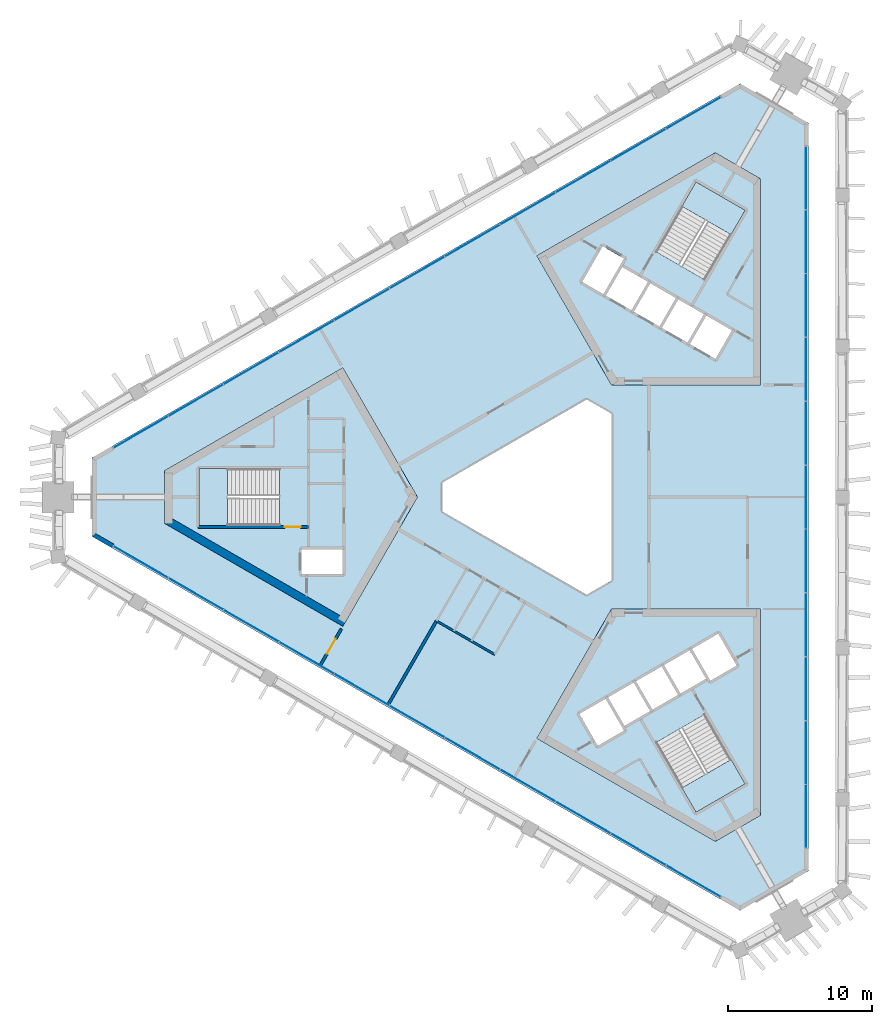
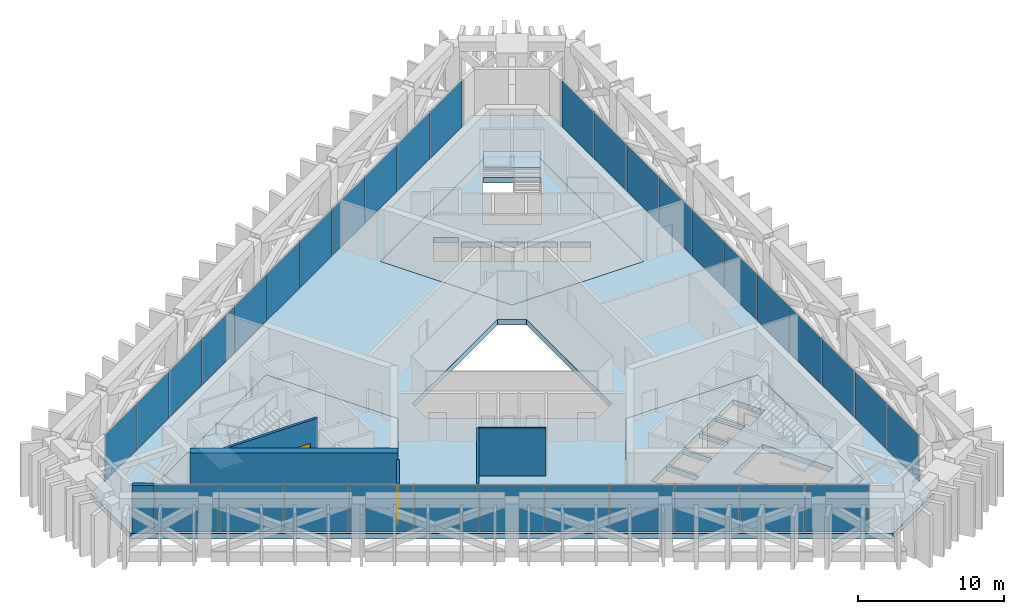
# One storey, part 9 of 15: 33 plates, 7 slabs, 6 walls, 2 doors, 2 openings, 6 elements without a shape of their own.
"""IFC4 building model written with IfcOpenShell, lengths in metres."""

import ifcopenshell
import ifcopenshell.guid

model = None  # the IFC model being written
_history = None  # IfcOwnerHistory: only IFC2X3 demands one
_inside = {}  # id of a spatial element -> (the spatial element, [elements in it])
_under = {}  # id of a project, library or spatial element -> (it, [spatial elements below it])
_declared = {}  # id of a project -> (the project, [libraries it declares])
_typed = {}  # id of a type object -> (the type object, [elements of that type])
_made_of = {}  # id of a material, layer set ... -> (it, [elements and type objects made of it])


def new_model(schema):
    """Start an empty IFC model of exactly this schema.

    Asked for "IFC4X3", IfcOpenShell would pick the latest addendum, in which some entities
    have other attributes; the version numbers below select the first issue.
    IFC2X3 requires an IfcOwnerHistory on every rooted entity: one is made here for all.
    """
    global model, _history
    if schema == "IFC4X3":
        model = ifcopenshell.file(schema_version=(4, 3, 0, 0))
    else:
        model = ifcopenshell.file(schema=schema)
    _inside.clear()
    _under.clear()
    _declared.clear()
    _typed.clear()
    _made_of.clear()
    _history = None
    if model.schema == "IFC2X3":
        org = make("IfcOrganization", Name="unknown")
        user = make(
            "IfcPersonAndOrganization",
            ThePerson=make("IfcPerson", FamilyName="unknown"),
            TheOrganization=org,
        )
        app = make(
            "IfcApplication",
            ApplicationDeveloper=org,
            Version="unknown",
            ApplicationFullName="unknown",
            ApplicationIdentifier="unknown",
        )
        _history = make(
            "IfcOwnerHistory",
            OwningUser=user,
            OwningApplication=app,
            ChangeAction="ADDED",
            CreationDate=0,
        )
    return model


def make(cls, **values):
    """One entity of the class cls with the attributes given. An attribute that is None is left unset."""
    return model.create_entity(
        cls, **{name: value for name, value in values.items() if value is not None}
    )


def rooted(cls, **values):
    """An entity with a GlobalId (a new one), such as an element, a storey or a relation."""
    return make(cls, GlobalId=ifcopenshell.guid.new(), OwnerHistory=_history, **values)


def si_unit(unit_type, name, prefix=None):
    """IfcSIUnit, for example si_unit("LENGTHUNIT", "METRE", prefix="MILLI")."""
    return make("IfcSIUnit", UnitType=unit_type, Prefix=prefix, Name=name)


def assignment(units):
    """IfcUnitAssignment: the units of a project."""
    return None if units is None else make("IfcUnitAssignment", Units=units)


def point(xyz):
    """IfcCartesianPoint."""
    return None if xyz is None else make("IfcCartesianPoint", Coordinates=xyz)


def direction(xyz):
    """IfcDirection."""
    return None if xyz is None else make("IfcDirection", DirectionRatios=xyz)


def frame(location, z_axis=None, x_axis=None):
    """IfcAxis2Placement3D, a coordinate frame: its origin and axes. An axis left out is left unset."""
    return make(
        "IfcAxis2Placement3D",
        Location=point(location),
        Axis=direction(z_axis),
        RefDirection=direction(x_axis),
    )


def frame_2d(location, x_axis=None):
    """IfcAxis2Placement2D, a coordinate frame in the plane: its origin and x axis."""
    return make(
        "IfcAxis2Placement2D", Location=point(location), RefDirection=direction(x_axis)
    )


def origin():
    """The frame at (0, 0, 0) with its axes left unset."""
    return frame((0.0, 0.0, 0.0))


def origin_2d():
    """The frame at (0, 0) in the plane with its x axis left unset."""
    return frame_2d((0.0, 0.0))


def place(relative_to, where):
    """IfcLocalPlacement: puts the frame where relative to a parent placement (None: the world)."""
    return make(
        "IfcLocalPlacement", PlacementRelTo=relative_to, RelativePlacement=where
    )


def context(
    kind, dimensions, precision=None, world=None, true_north=None, identifier=None
):
    """IfcGeometricRepresentationContext, for example the 3D "Model" context."""
    return make(
        "IfcGeometricRepresentationContext",
        ContextIdentifier=identifier,
        ContextType=kind,
        CoordinateSpaceDimension=dimensions,
        Precision=precision,
        WorldCoordinateSystem=world,
        TrueNorth=true_north,
    )


def subcontext(parent, identifier, kind, view, scale=None):
    """IfcGeometricRepresentationSubContext, for example "Body" below "Model"."""
    return make(
        "IfcGeometricRepresentationSubContext",
        ContextIdentifier=identifier,
        ContextType=kind,
        ParentContext=parent,
        TargetScale=scale,
        TargetView=view,
    )


def project(units=None, contexts=None):
    """IfcProject with its units and contexts."""
    return rooted(
        "IfcProject",
        Name="project",
        RepresentationContexts=contexts,
        UnitsInContext=assignment(units),
    )


def spatial(cls, under=None, at=None, **own):
    """A site, building, storey or space (cls), placed at a placement, below another one or the project."""
    s = rooted(cls, ObjectPlacement=at, **own)
    if under is not None:
        _under.setdefault(under.id(), (under, []))[1].append(s)
    return s


def polyline(points):
    """IfcPolyline through the points."""
    return make("IfcPolyline", Points=[point(p) for p in points])


def profile(cls, at=None, kind="AREA", **sizes):
    """A parametric profile (cls). Its sizes go by their IFC names, for example OverallWidth=200.0."""
    return make(cls, ProfileType=kind, Position=at, **sizes)


def rectangle(**sizes):
    """IfcRectangleProfileDef."""
    return profile("IfcRectangleProfileDef", **sizes)


def outline(outer, holes=None, kind="AREA"):
    """IfcArbitraryClosedProfileDef: a profile drawn as a closed curve; with holes, ...WithVoids."""
    if holes is None:
        return make("IfcArbitraryClosedProfileDef", ProfileType=kind, OuterCurve=outer)
    return make(
        "IfcArbitraryProfileDefWithVoids",
        ProfileType=kind,
        OuterCurve=outer,
        InnerCurves=holes,
    )


def extrude(swept, where, along, depth):
    """IfcExtrudedAreaSolid: the profile swept, set in the frame where, extruded along a direction by depth."""
    return make(
        "IfcExtrudedAreaSolid",
        SweptArea=swept,
        Position=where,
        ExtrudedDirection=direction(along),
        Depth=depth,
    )


def shape(context_of_items, identifier, shape_type, items):
    """IfcShapeRepresentation: the items that make up one representation, for example the "Body"."""
    return make(
        "IfcShapeRepresentation",
        ContextOfItems=context_of_items,
        RepresentationIdentifier=identifier,
        RepresentationType=shape_type,
        Items=items,
    )


def material(Name=None, Category=None):
    """IfcMaterial."""
    return make("IfcMaterial", Name=Name, Category=Category)


def layer(
    of_material, thickness, ventilated=None, Name=None, Category=None, Priority=None
):
    """IfcMaterialLayer: one layer of a wall or slab, of a material (None: an air gap)."""
    return make(
        "IfcMaterialLayer",
        Material=of_material,
        LayerThickness=thickness,
        IsVentilated=ventilated,
        Name=Name,
        Category=Category,
        Priority=Priority,
    )


def layer_set(layers, Name=None):
    """IfcMaterialLayerSet."""
    return make("IfcMaterialLayerSet", MaterialLayers=layers, LayerSetName=Name)


def made_of(thing, what):
    """Note that an element or type object is made of a material, layer set ...; save() writes the relation."""
    if what is not None:
        _made_of.setdefault(what.id(), (what, []))[1].append(thing)
    return thing


def type_object(cls, material=None, **own):
    """A type object (cls), such as IfcWallType, which elements share."""
    return made_of(rooted(cls, **own), material)


def element(
    cls,
    number,
    at=None,
    inside=None,
    cuts=None,
    type_object=None,
    material=None,
    context=None,
    identifier="Body",
    shape_type=None,
    held_by="IfcProductDefinitionShape",
    body=None,
    shapes=None,
    **own,
):
    """One element of the class cls, such as IfcWall. Its Tag is "e" and its number.

    at: its placement. inside: the storey or other place that contains it. cuts: it is an
    opening in that element (IfcRelVoidsElement). A single representation is given by context,
    identifier, shape_type and body (its items); several are given by shapes. held_by: the class
    of the entity that holds the representations. save() writes the other relations.
    """
    e = rooted(cls, Tag="e%d" % number, ObjectPlacement=at, **own)
    if body is not None:
        shapes = [shape(context, identifier, shape_type, body)]
    if shapes is not None:
        e.Representation = make(held_by, Representations=shapes)
    if inside is not None:
        _inside.setdefault(inside.id(), (inside, []))[1].append(e)
    if cuts is not None:
        rooted(
            "IfcRelVoidsElement", RelatingBuildingElement=cuts, RelatedOpeningElement=e
        )
    if type_object is not None:
        _typed.setdefault(type_object.id(), (type_object, []))[1].append(e)
    return made_of(e, material)


def fill(opening, filler):
    """IfcRelFillsElement: the door or window that sits in an opening."""
    return rooted(
        "IfcRelFillsElement",
        RelatingOpeningElement=opening,
        RelatedBuildingElement=filler,
    )


def aggregate(whole, parts):
    """IfcRelAggregates: a whole, such as a stair, and the parts it consists of."""
    return rooted("IfcRelAggregates", RelatingObject=whole, RelatedObjects=parts)


def save(model, path):
    """Write the relations noted so far, then the file.

    IfcRelAggregates (storeys below a building ...), IfcRelContainedInSpatialStructure (elements
    in a storey), IfcRelDefinesByType, IfcRelAssociatesMaterial and IfcRelDeclares: one each for
    every whole, place, type object, material and project.
    """
    for whole, parts in _under.values():
        aggregate(whole, parts)
    for where, things in _inside.values():
        rooted(
            "IfcRelContainedInSpatialStructure",
            RelatedElements=things,
            RelatingStructure=where,
        )
    for kind, things in _typed.values():
        rooted("IfcRelDefinesByType", RelatedObjects=things, RelatingType=kind)
    for what, things in _made_of.values():
        rooted("IfcRelAssociatesMaterial", RelatedObjects=things, RelatingMaterial=what)
    for by, libraries in _declared.values():
        rooted("IfcRelDeclares", RelatingContext=by, RelatedDefinitions=libraries)
    model.write(path)


model = new_model("IFC4")

# Units and contexts
model_context = context("Model", 3, precision=1e-05, world=origin(), true_north=direction((0.0, 1.0)))
body_context = subcontext(model_context, "Body", "Model", "MODEL_VIEW")
ifc_project = project(units=[si_unit("LENGTHUNIT", "METRE"), si_unit("AREAUNIT", "SQUARE_METRE"), si_unit("VOLUMEUNIT", "CUBIC_METRE"), si_unit("PLANEANGLEUNIT", "RADIAN"), si_unit("MASSUNIT", "GRAM", prefix="KILO")], contexts=[model_context])

# Site, building, storey
site_placement = place(None, origin())
site = spatial("IfcSite", under=ifc_project, at=site_placement, CompositionType="ELEMENT")
building_placement = place(site_placement, origin())
building = spatial("IfcBuilding", under=site, at=building_placement, Name="Jabali Bay Hotel Tower and Convention Centre", CompositionType="ELEMENT")
storey_placement = place(building_placement, frame((0.0, 0.0, 201.39990234375)))
storey = spatial("IfcBuildingStorey", under=building, at=storey_placement, Name="L49", CompositionType="ELEMENT", Elevation=201.39990234375)

# Curtain wall, plates
ifc_material_1 = material(Name="Aluminium and glass", Category="aluminium")
ifc_layer_1 = layer(ifc_material_1, 0.159912109375)
ifc_layer_set_1 = layer_set([ifc_layer_1], Name="Aluminium and glass")
curtain_wall_type = type_object("IfcCurtainWallType", Name="CW3 curtain wall", PredefinedType="NOTDEFINED", material=ifc_layer_set_1)
curtain_wall_1_placement = place(storey_placement, origin())
curtain_wall_1 = element("IfcCurtainWall", 1, at=curtain_wall_1_placement, inside=storey, type_object=curtain_wall_type, Name="CW3 curtain wall east face L49", PredefinedType="NOTDEFINED")
ifc_material_2 = material(Name="Glass", Category="glass")
ifc_layer_2 = layer(ifc_material_2, 0.028076171875)
ifc_layer_set_2 = layer_set([ifc_layer_2], Name="Glass")
plate_type = type_object("IfcPlateType", Name="CW3 glass panel 28", PredefinedType="CURTAIN_PANEL", material=ifc_layer_set_2)
plate_1_placement = place(storey_placement, frame((93.03955078125, 102.20166015625, 0.06005859375), z_axis=(0.0, 0.0, 1.0), x_axis=(0.0, -1.0, 0.0)))
plate_1 = element("IfcPlate", 2, at=plate_1_placement, type_object=plate_type, Name="CW3 panel 1.1", PredefinedType="CURTAIN_PANEL", context=body_context, shape_type="SweptSolid", body=[
    extrude(rectangle(XDim=4.353271484375, YDim=0.028076171875, at=origin_2d()), origin(), (0.0, 0.0, 1.0), 3.8798828125),
])
plate_2_placement = place(storey_placement, frame((93.03955078125, 97.773193359375, 0.06005859375), z_axis=(0.0, 0.0, 1.0), x_axis=(0.0, -1.0, 0.0)))
plate_2 = element("IfcPlate", 3, at=plate_2_placement, type_object=plate_type, Name="CW3 panel 2.1", PredefinedType="CURTAIN_PANEL", context=body_context, shape_type="SweptSolid", body=[
    extrude(rectangle(XDim=4.38330078125, YDim=0.028076171875, at=origin_2d()), origin(), (0.0, 0.0, 1.0), 3.8798828125),
])
plate_3_placement = place(storey_placement, frame((93.03955078125, 93.330078125, 0.06005859375), z_axis=(0.0, 0.0, 1.0), x_axis=(0.0, -1.0, 0.0)))
plate_3 = element("IfcPlate", 4, at=plate_3_placement, type_object=plate_type, Name="CW3 panel 3.1", PredefinedType="CURTAIN_PANEL", context=body_context, shape_type="SweptSolid", body=[
    extrude(rectangle(XDim=4.38330078125, YDim=0.028076171875, at=origin_2d()), origin(), (0.0, 0.0, 1.0), 3.8798828125),
])
plate_4_placement = place(storey_placement, frame((93.03955078125, 88.88671875, 0.06005859375), z_axis=(0.0, 0.0, 1.0), x_axis=(0.0, -1.0, 0.0)))
plate_4 = element("IfcPlate", 5, at=plate_4_placement, type_object=plate_type, Name="CW3 panel 4.1", PredefinedType="CURTAIN_PANEL", context=body_context, shape_type="SweptSolid", body=[
    extrude(rectangle(XDim=4.38330078125, YDim=0.028076171875, at=origin_2d()), origin(), (0.0, 0.0, 1.0), 3.8798828125),
])
plate_5_placement = place(storey_placement, frame((93.03955078125, 84.443359375, 0.06005859375), z_axis=(0.0, 0.0, 1.0), x_axis=(0.0, -1.0, 0.0)))
plate_5 = element("IfcPlate", 6, at=plate_5_placement, type_object=plate_type, Name="CW3 panel 5.1", PredefinedType="CURTAIN_PANEL", context=body_context, shape_type="SweptSolid", body=[
    extrude(rectangle(XDim=4.38330078125, YDim=0.028076171875, at=origin_2d()), origin(), (0.0, 0.0, 1.0), 3.8798828125),
])
plate_6_placement = place(storey_placement, frame((93.03955078125, 80.0, 0.06005859375), z_axis=(0.0, 0.0, 1.0), x_axis=(0.0, -1.0, 0.0)))
plate_6 = element("IfcPlate", 7, at=plate_6_placement, type_object=plate_type, Name="CW3 panel 6.1", PredefinedType="CURTAIN_PANEL", context=body_context, shape_type="SweptSolid", body=[
    extrude(rectangle(XDim=4.38330078125, YDim=0.028076171875, at=origin_2d()), origin(), (0.0, 0.0, 1.0), 3.8798828125),
])
plate_7_placement = place(storey_placement, frame((93.03955078125, 75.556640625, 0.06005859375), z_axis=(0.0, 0.0, 1.0), x_axis=(0.0, -1.0, 0.0)))
plate_7 = element("IfcPlate", 8, at=plate_7_placement, type_object=plate_type, Name="CW3 panel 7.1", PredefinedType="CURTAIN_PANEL", context=body_context, shape_type="SweptSolid", body=[
    extrude(rectangle(XDim=4.38330078125, YDim=0.028076171875, at=origin_2d()), origin(), (0.0, 0.0, 1.0), 3.8798828125),
])
plate_8_placement = place(storey_placement, frame((93.03955078125, 71.11328125, 0.06005859375), z_axis=(0.0, 0.0, 1.0), x_axis=(0.0, -1.0, 0.0)))
plate_8 = element("IfcPlate", 9, at=plate_8_placement, type_object=plate_type, Name="CW3 panel 8.1", PredefinedType="CURTAIN_PANEL", context=body_context, shape_type="SweptSolid", body=[
    extrude(rectangle(XDim=4.38330078125, YDim=0.028076171875, at=origin_2d()), origin(), (0.0, 0.0, 1.0), 3.8798828125),
])
plate_9_placement = place(storey_placement, frame((93.03955078125, 66.669921875, 0.06005859375), z_axis=(0.0, 0.0, 1.0), x_axis=(0.0, -1.0, 0.0)))
plate_9 = element("IfcPlate", 10, at=plate_9_placement, type_object=plate_type, Name="CW3 panel 9.1", PredefinedType="CURTAIN_PANEL", context=body_context, shape_type="SweptSolid", body=[
    extrude(rectangle(XDim=4.38330078125, YDim=0.028076171875, at=origin_2d()), origin(), (0.0, 0.0, 1.0), 3.8798828125),
])
plate_10_placement = place(storey_placement, frame((93.03955078125, 62.226806640625, 0.06005859375), z_axis=(0.0, 0.0, 1.0), x_axis=(0.0, -1.0, 0.0)))
plate_10 = element("IfcPlate", 11, at=plate_10_placement, type_object=plate_type, Name="CW3 panel 10.1", PredefinedType="CURTAIN_PANEL", context=body_context, shape_type="SweptSolid", body=[
    extrude(rectangle(XDim=4.38330078125, YDim=0.028076171875, at=origin_2d()), origin(), (0.0, 0.0, 1.0), 3.8798828125),
])
plate_11_placement = place(storey_placement, frame((93.03955078125, 57.79833984375, 0.06005859375), z_axis=(0.0, 0.0, 1.0), x_axis=(0.0, -1.0, 0.0)))
plate_11 = element("IfcPlate", 12, at=plate_11_placement, type_object=plate_type, Name="CW3 panel 11.1", PredefinedType="CURTAIN_PANEL", context=body_context, shape_type="SweptSolid", body=[
    extrude(rectangle(XDim=4.353271484375, YDim=0.028076171875, at=origin_2d()), origin(), (0.0, 0.0, 1.0), 3.8798828125),
])
aggregate(curtain_wall_1, [plate_1, plate_2, plate_3, plate_4, plate_5, plate_6, plate_7, plate_8, plate_9, plate_10, plate_11])

curtain_wall_2_placement = place(storey_placement, origin())
curtain_wall_2 = element("IfcCurtainWall", 13, at=curtain_wall_2_placement, inside=storey, type_object=curtain_wall_type, Name="CW3 curtain wall north-west face L49", PredefinedType="NOTDEFINED")
plate_12_placement = place(storey_placement, frame((46.7529296875, 84.52197265625, 0.06005859375), z_axis=(0.0, 0.0, 1.0), x_axis=(0.866025402615, 0.500000002025, 0.0)))
plate_12 = element("IfcPlate", 14, at=plate_12_placement, type_object=plate_type, Name="CW3 panel 1.1", PredefinedType="CURTAIN_PANEL", context=body_context, shape_type="SweptSolid", body=[
    extrude(rectangle(XDim=4.353271484375, YDim=0.028076171875, at=origin_2d()), origin(), (0.0, 0.0, 1.0), 3.8798828125),
])
plate_13_placement = place(storey_placement, frame((50.588134765625, 86.736083984375, 0.06005859375), z_axis=(0.0, 0.0, 1.0), x_axis=(0.866025402615, 0.500000002025, 0.0)))
plate_13 = element("IfcPlate", 15, at=plate_13_placement, type_object=plate_type, Name="CW3 panel 2.1", PredefinedType="CURTAIN_PANEL", context=body_context, shape_type="SweptSolid", body=[
    extrude(rectangle(XDim=4.38330078125, YDim=0.028076171875, at=origin_2d()), origin(), (0.0, 0.0, 1.0), 3.8798828125),
])
plate_14_placement = place(storey_placement, frame((54.43603515625, 88.957763671875, 0.06005859375), z_axis=(0.0, 0.0, 1.0), x_axis=(0.866025402615, 0.500000002025, 0.0)))
plate_14 = element("IfcPlate", 16, at=plate_14_placement, type_object=plate_type, Name="CW3 panel 3.1", PredefinedType="CURTAIN_PANEL", context=body_context, shape_type="SweptSolid", body=[
    extrude(rectangle(XDim=4.38330078125, YDim=0.028076171875, at=origin_2d()), origin(), (0.0, 0.0, 1.0), 3.8798828125),
])
plate_15_placement = place(storey_placement, frame((58.2841796875, 91.179443359375, 0.06005859375), z_axis=(0.0, 0.0, 1.0), x_axis=(0.866025402615, 0.500000002025, 0.0)))
plate_15 = element("IfcPlate", 17, at=plate_15_placement, type_object=plate_type, Name="CW3 panel 4.1", PredefinedType="CURTAIN_PANEL", context=body_context, shape_type="SweptSolid", body=[
    extrude(rectangle(XDim=4.38330078125, YDim=0.028076171875, at=origin_2d()), origin(), (0.0, 0.0, 1.0), 3.8798828125),
])
plate_16_placement = place(storey_placement, frame((62.132080078125, 93.401123046875, 0.06005859375), z_axis=(0.0, 0.0, 1.0), x_axis=(0.866025402615, 0.500000002025, 0.0)))
plate_16 = element("IfcPlate", 18, at=plate_16_placement, type_object=plate_type, Name="CW3 panel 5.1", PredefinedType="CURTAIN_PANEL", context=body_context, shape_type="SweptSolid", body=[
    extrude(rectangle(XDim=4.38330078125, YDim=0.028076171875, at=origin_2d()), origin(), (0.0, 0.0, 1.0), 3.8798828125),
])
plate_17_placement = place(storey_placement, frame((65.980224609375, 95.622802734375, 0.06005859375), z_axis=(0.0, 0.0, 1.0), x_axis=(0.866025402615, 0.500000002025, 0.0)))
plate_17 = element("IfcPlate", 19, at=plate_17_placement, type_object=plate_type, Name="CW3 panel 6.1", PredefinedType="CURTAIN_PANEL", context=body_context, shape_type="SweptSolid", body=[
    extrude(rectangle(XDim=4.38330078125, YDim=0.028076171875, at=origin_2d()), origin(), (0.0, 0.0, 1.0), 3.8798828125),
])
plate_18_placement = place(storey_placement, frame((69.828125, 97.844482421875, 0.06005859375), z_axis=(0.0, 0.0, 1.0), x_axis=(0.866025402615, 0.500000002025, 0.0)))
plate_18 = element("IfcPlate", 20, at=plate_18_placement, type_object=plate_type, Name="CW3 panel 7.1", PredefinedType="CURTAIN_PANEL", context=body_context, shape_type="SweptSolid", body=[
    extrude(rectangle(XDim=4.38330078125, YDim=0.028076171875, at=origin_2d()), origin(), (0.0, 0.0, 1.0), 3.8798828125),
])
plate_19_placement = place(storey_placement, frame((73.67626953125, 100.066162109375, 0.06005859375), z_axis=(0.0, 0.0, 1.0), x_axis=(0.866025402615, 0.500000002025, 0.0)))
plate_19 = element("IfcPlate", 21, at=plate_19_placement, type_object=plate_type, Name="CW3 panel 8.1", PredefinedType="CURTAIN_PANEL", context=body_context, shape_type="SweptSolid", body=[
    extrude(rectangle(XDim=4.38330078125, YDim=0.028076171875, at=origin_2d()), origin(), (0.0, 0.0, 1.0), 3.8798828125),
])
plate_20_placement = place(storey_placement, frame((77.524169921875, 102.287841796875, 0.06005859375), z_axis=(0.0, 0.0, 1.0), x_axis=(0.866025402615, 0.500000002025, 0.0)))
plate_20 = element("IfcPlate", 22, at=plate_20_placement, type_object=plate_type, Name="CW3 panel 9.1", PredefinedType="CURTAIN_PANEL", context=body_context, shape_type="SweptSolid", body=[
    extrude(rectangle(XDim=4.38330078125, YDim=0.028076171875, at=origin_2d()), origin(), (0.0, 0.0, 1.0), 3.8798828125),
])
plate_21_placement = place(storey_placement, frame((81.372314453125, 104.509521484375, 0.06005859375), z_axis=(0.0, 0.0, 1.0), x_axis=(0.866025402615, 0.500000002025, 0.0)))
plate_21 = element("IfcPlate", 23, at=plate_21_placement, type_object=plate_type, Name="CW3 panel 10.1", PredefinedType="CURTAIN_PANEL", context=body_context, shape_type="SweptSolid", body=[
    extrude(rectangle(XDim=4.38330078125, YDim=0.028076171875, at=origin_2d()), origin(), (0.0, 0.0, 1.0), 3.8798828125),
])
plate_22_placement = place(storey_placement, frame((85.207275390625, 106.7236328125, 0.06005859375), z_axis=(0.0, 0.0, 1.0), x_axis=(0.866025402615, 0.500000002025, 0.0)))
plate_22 = element("IfcPlate", 24, at=plate_22_placement, type_object=plate_type, Name="CW3 panel 11.1", PredefinedType="CURTAIN_PANEL", context=body_context, shape_type="SweptSolid", body=[
    extrude(rectangle(XDim=4.353271484375, YDim=0.028076171875, at=origin_2d()), origin(), (0.0, 0.0, 1.0), 3.8798828125),
])
aggregate(curtain_wall_2, [plate_12, plate_13, plate_14, plate_15, plate_16, plate_17, plate_18, plate_19, plate_20, plate_21, plate_22])

curtain_wall_3_placement = place(storey_placement, origin())
curtain_wall_3 = element("IfcCurtainWall", 25, at=curtain_wall_3_placement, inside=storey, type_object=curtain_wall_type, Name="CW3 curtain wall south-west face L49", PredefinedType="NOTDEFINED")
plate_23_placement = place(storey_placement, frame((85.207275390625, 53.2763671875, 0.06005859375), z_axis=(0.0, 0.0, 1.0), x_axis=(-0.866025402615, 0.500000002025, 0.0)))
plate_23 = element("IfcPlate", 26, at=plate_23_placement, type_object=plate_type, Name="CW3 panel 1.1", PredefinedType="CURTAIN_PANEL", context=body_context, shape_type="SweptSolid", body=[
    extrude(rectangle(XDim=4.353271484375, YDim=0.028076171875, at=origin_2d()), origin(), (0.0, 0.0, 1.0), 3.8798828125),
])
plate_24_placement = place(storey_placement, frame((81.372314453125, 55.490478515625, 0.06005859375), z_axis=(0.0, 0.0, 1.0), x_axis=(-0.866025402615, 0.500000002025, 0.0)))
plate_24 = element("IfcPlate", 27, at=plate_24_placement, type_object=plate_type, Name="CW3 panel 2.1", PredefinedType="CURTAIN_PANEL", context=body_context, shape_type="SweptSolid", body=[
    extrude(rectangle(XDim=4.38330078125, YDim=0.028076171875, at=origin_2d()), origin(), (0.0, 0.0, 1.0), 3.8798828125),
])
plate_25_placement = place(storey_placement, frame((77.524169921875, 57.712158203125, 0.06005859375), z_axis=(0.0, 0.0, 1.0), x_axis=(-0.866025402615, 0.500000002025, 0.0)))
plate_25 = element("IfcPlate", 28, at=plate_25_placement, type_object=plate_type, Name="CW3 panel 3.1", PredefinedType="CURTAIN_PANEL", context=body_context, shape_type="SweptSolid", body=[
    extrude(rectangle(XDim=4.38330078125, YDim=0.028076171875, at=origin_2d()), origin(), (0.0, 0.0, 1.0), 3.8798828125),
])
plate_26_placement = place(storey_placement, frame((73.67626953125, 59.933837890625, 0.06005859375), z_axis=(0.0, 0.0, 1.0), x_axis=(-0.866025402615, 0.500000002025, 0.0)))
plate_26 = element("IfcPlate", 29, at=plate_26_placement, type_object=plate_type, Name="CW3 panel 4.1", PredefinedType="CURTAIN_PANEL", context=body_context, shape_type="SweptSolid", body=[
    extrude(rectangle(XDim=4.38330078125, YDim=0.028076171875, at=origin_2d()), origin(), (0.0, 0.0, 1.0), 3.8798828125),
])
plate_27_placement = place(storey_placement, frame((69.828125, 62.155517578125, 0.06005859375), z_axis=(0.0, 0.0, 1.0), x_axis=(-0.866025402615, 0.500000002025, 0.0)))
plate_27 = element("IfcPlate", 30, at=plate_27_placement, type_object=plate_type, Name="CW3 panel 5.1", PredefinedType="CURTAIN_PANEL", context=body_context, shape_type="SweptSolid", body=[
    extrude(rectangle(XDim=4.38330078125, YDim=0.028076171875, at=origin_2d()), origin(), (0.0, 0.0, 1.0), 3.8798828125),
])
plate_28_placement = place(storey_placement, frame((65.980224609375, 64.377197265625, 0.06005859375), z_axis=(0.0, 0.0, 1.0), x_axis=(-0.866025402615, 0.500000002025, 0.0)))
plate_28 = element("IfcPlate", 31, at=plate_28_placement, type_object=plate_type, Name="CW3 panel 6.1", PredefinedType="CURTAIN_PANEL", context=body_context, shape_type="SweptSolid", body=[
    extrude(rectangle(XDim=4.38330078125, YDim=0.028076171875, at=origin_2d()), origin(), (0.0, 0.0, 1.0), 3.8798828125),
])
plate_29_placement = place(storey_placement, frame((62.132080078125, 66.598876953125, 0.06005859375), z_axis=(0.0, 0.0, 1.0), x_axis=(-0.866025402615, 0.500000002025, 0.0)))
plate_29 = element("IfcPlate", 32, at=plate_29_placement, type_object=plate_type, Name="CW3 panel 7.1", PredefinedType="CURTAIN_PANEL", context=body_context, shape_type="SweptSolid", body=[
    extrude(rectangle(XDim=4.38330078125, YDim=0.028076171875, at=origin_2d()), origin(), (0.0, 0.0, 1.0), 3.8798828125),
])
plate_30_placement = place(storey_placement, frame((58.2841796875, 68.820556640625, 0.06005859375), z_axis=(0.0, 0.0, 1.0), x_axis=(-0.866025402615, 0.500000002025, 0.0)))
plate_30 = element("IfcPlate", 33, at=plate_30_placement, type_object=plate_type, Name="CW3 panel 8.1", PredefinedType="CURTAIN_PANEL", context=body_context, shape_type="SweptSolid", body=[
    extrude(rectangle(XDim=4.38330078125, YDim=0.028076171875, at=origin_2d()), origin(), (0.0, 0.0, 1.0), 3.8798828125),
])
plate_31_placement = place(storey_placement, frame((54.43603515625, 71.042236328125, 0.06005859375), z_axis=(0.0, 0.0, 1.0), x_axis=(-0.866025402615, 0.500000002025, 0.0)))
plate_31 = element("IfcPlate", 34, at=plate_31_placement, type_object=plate_type, Name="CW3 panel 9.1", PredefinedType="CURTAIN_PANEL", context=body_context, shape_type="SweptSolid", body=[
    extrude(rectangle(XDim=4.38330078125, YDim=0.028076171875, at=origin_2d()), origin(), (0.0, 0.0, 1.0), 3.8798828125),
])
plate_32_placement = place(storey_placement, frame((50.588134765625, 73.263916015625, 0.06005859375), z_axis=(0.0, 0.0, 1.0), x_axis=(-0.866025402615, 0.500000002025, 0.0)))
plate_32 = element("IfcPlate", 35, at=plate_32_placement, type_object=plate_type, Name="CW3 panel 10.1", PredefinedType="CURTAIN_PANEL", context=body_context, shape_type="SweptSolid", body=[
    extrude(rectangle(XDim=4.38330078125, YDim=0.028076171875, at=origin_2d()), origin(), (0.0, 0.0, 1.0), 3.8798828125),
])
plate_33_placement = place(storey_placement, frame((46.7529296875, 75.47802734375, 0.06005859375), z_axis=(0.0, 0.0, 1.0), x_axis=(-0.866025402615, 0.500000002025, 0.0)))
plate_33 = element("IfcPlate", 36, at=plate_33_placement, type_object=plate_type, Name="CW3 panel 11.1", PredefinedType="CURTAIN_PANEL", context=body_context, shape_type="SweptSolid", body=[
    extrude(rectangle(XDim=4.353271484375, YDim=0.028076171875, at=origin_2d()), origin(), (0.0, 0.0, 1.0), 3.8798828125),
])
aggregate(curtain_wall_3, [plate_23, plate_24, plate_25, plate_26, plate_27, plate_28, plate_29, plate_30, plate_31, plate_32, plate_33])

# Slabs
ifc_material_3 = material(Name="Concrete C40", Category="concrete")
ifc_layer_3 = layer(ifc_material_3, 0.449951171875)
ifc_layer_set_3 = layer_set([ifc_layer_3], Name="Concrete C40")
slab_type_1 = type_object("IfcSlabType", Name="Core floor slab 450", PredefinedType="FLOOR", material=ifc_layer_set_3)
slab_1_placement = place(storey_placement, frame((0.0, 0.0, -0.449951171875)))
element("IfcSlab", 37, at=slab_1_placement, inside=storey, type_object=slab_type_1, Name="Core floor slab 1 L49", PredefinedType="FLOOR", context=body_context, shape_type="SweptSolid", body=[
    extrude(outline(polyline([(66.0, 80.0), (60.81005859375, 88.9892578125), (48.39697265625, 81.82275390625), (48.39697265625, 78.17724609375), (60.81005859375, 71.0107421875), (66.0, 80.0)]), holes=[polyline([(60.800048828125, 76.35009765625), (57.949951171875, 76.35009765625), (57.949951171875, 74.64990234375), (60.800048828125, 74.64990234375), (60.800048828125, 76.35009765625)]), polyline([(50.820068359375, 81.97509765625), (50.820068359375, 78.02490234375), (56.409912109375, 78.02490234375), (56.409912109375, 81.97509765625), (50.820068359375, 81.97509765625)])]), origin(), (0.0, 0.0, 1.0), 0.449951171875),
])
slab_2_placement = place(storey_placement, frame((0.0, 0.0, -0.449951171875)))
element("IfcSlab", 38, at=slab_2_placement, inside=storey, type_object=slab_type_1, Name="Core floor slab 2 L49", PredefinedType="FLOOR", context=body_context, shape_type="SweptSolid", body=[
    extrude(outline(polyline([(79.5, 87.794189453125), (89.8798828125, 87.794189453125), (89.8798828125, 102.127685546875), (86.72314453125, 103.9501953125), (74.31005859375, 96.78369140625), (79.5, 87.794189453125)]), holes=[polyline([(84.957763671875, 90.6474609375), (86.733154296875, 89.62255859375), (87.873291015625, 91.59716796875), (86.097900390625, 92.6220703125), (84.957763671875, 90.6474609375)]), polyline([(84.1494140625, 93.7470703125), (83.00927734375, 91.7724609375), (84.78466796875, 90.74755859375), (85.924560546875, 92.72216796875), (84.1494140625, 93.7470703125)]), polyline([(82.20068359375, 94.8720703125), (81.060791015625, 92.8974609375), (82.836181640625, 91.87255859375), (83.97607421875, 93.84716796875), (82.20068359375, 94.8720703125)]), polyline([(79.1123046875, 94.0224609375), (80.887451171875, 92.99755859375), (82.027587890625, 94.97216796875), (80.252197265625, 95.9970703125), (79.1123046875, 94.0224609375)]), polyline([(78.891845703125, 97.440673828125), (77.466796875, 94.97265625), (78.93896484375, 94.12255859375), (80.364013671875, 96.5908203125), (78.891845703125, 97.440673828125)]), polyline([(82.584716796875, 97.0869140625), (86.00537109375, 95.11181640625), (88.80029296875, 99.952880859375), (85.379638671875, 101.927978515625), (82.584716796875, 97.0869140625)])]), origin(), (0.0, 0.0, 1.0), 0.449951171875),
])
slab_3_placement = place(storey_placement, frame((0.0, 0.0, -0.449951171875)))
element("IfcSlab", 39, at=slab_3_placement, inside=storey, type_object=slab_type_1, Name="Core floor slab 3 L49", PredefinedType="FLOOR", context=body_context, shape_type="SweptSolid", body=[
    extrude(outline(polyline([(79.5, 72.205810546875), (74.31005859375, 63.21630859375), (86.72314453125, 56.0498046875), (89.8798828125, 57.872314453125), (89.8798828125, 72.205810546875), (79.5, 72.205810546875)]), holes=[polyline([(82.584716796875, 62.9130859375), (85.379638671875, 58.072021484375), (88.80029296875, 60.047119140625), (86.00537109375, 64.88818359375), (82.584716796875, 62.9130859375)]), polyline([(80.365478515625, 63.756591796875), (79.090576171875, 65.96484375), (77.27197265625, 64.9150390625), (78.546875, 62.70654296875), (80.365478515625, 63.756591796875)]), polyline([(82.17919921875, 65.115478515625), (81.0390625, 67.08984375), (79.263671875, 66.06494140625), (80.40380859375, 64.09033203125), (82.17919921875, 65.115478515625)]), polyline([(82.98779296875, 68.21484375), (81.21240234375, 67.18994140625), (82.352294921875, 65.21533203125), (84.127685546875, 66.240478515625), (82.98779296875, 68.21484375)]), polyline([(86.076171875, 67.365478515625), (84.936279296875, 69.33984375), (83.160888671875, 68.31494140625), (84.30078125, 66.34033203125), (86.076171875, 67.365478515625)]), polyline([(88.203125, 68.281494140625), (86.927978515625, 70.489990234375), (85.109375, 69.43994140625), (86.384521484375, 67.231689453125), (88.203125, 68.281494140625)])]), origin(), (0.0, 0.0, 1.0), 0.449951171875),
])
ifc_layer_4 = layer(ifc_material_3, 0.449951171875)
ifc_layer_set_4 = layer_set([ifc_layer_4], Name="Concrete C40")
slab_type_2 = type_object("IfcSlabType", Name="Post-tensioned flat slab 450", PredefinedType="FLOOR", material=ifc_layer_set_4)
slab_4_placement = place(storey_placement, frame((0.0, 0.0, -0.449951171875)))
element("IfcSlab", 40, at=slab_4_placement, inside=storey, type_object=slab_type_2, Name="Floor slab L49", PredefinedType="FLOOR", context=body_context, shape_type="SweptSolid", body=[
    extrude(outline(polyline([(88.443359375, 108.76513671875), (93.189697265625, 106.02490234375), (93.189697265625, 53.97509765625), (88.443359375, 51.23486328125), (43.366943359375, 77.259765625), (43.366943359375, 82.740234375), (88.443359375, 108.76513671875)]), holes=[polyline([(67.73193359375, 79.0), (77.76806640625, 73.205810546875), (79.5, 74.205810546875), (79.5, 85.794189453125), (77.76806640625, 86.794189453125), (67.73193359375, 81.0), (67.73193359375, 79.0)]), polyline([(48.39697265625, 78.17724609375), (60.81005859375, 71.0107421875), (66.0, 80.0), (60.81005859375, 88.9892578125), (48.39697265625, 81.82275390625), (48.39697265625, 78.17724609375)]), polyline([(89.8798828125, 102.127685546875), (86.72314453125, 103.9501953125), (74.31005859375, 96.78369140625), (79.5, 87.794189453125), (89.8798828125, 87.794189453125), (89.8798828125, 102.127685546875)]), polyline([(74.31005859375, 63.21630859375), (86.72314453125, 56.0498046875), (89.8798828125, 57.872314453125), (89.8798828125, 72.205810546875), (79.5, 72.205810546875), (74.31005859375, 63.21630859375)])]), origin(), (0.0, 0.0, 1.0), 0.449951171875),
])

# Stair, slab
stair_type = type_object("IfcStairType", Name="Exit stair 1900", PredefinedType="HALF_TURN_STAIR", material=ifc_material_3)
stair_1_placement = place(storey_placement, origin())
stair_1 = element("IfcStair", 41, at=stair_1_placement, inside=storey, type_object=stair_type, Name="L49 Exit Stair 1", PredefinedType="HALF_TURN_STAIR")
ifc_layer_5 = layer(ifc_material_3, 0.199951171875)
ifc_layer_set_5 = layer_set([ifc_layer_5], Name="Concrete C40")
slab_type_3 = type_object("IfcSlabType", Name="Stair landing 200", PredefinedType="LANDING", material=ifc_layer_set_5)
slab_5_placement = place(storey_placement, frame((0.0, 0.0, 2.0)))
slab_5 = element("IfcSlab", 42, at=slab_5_placement, type_object=slab_type_3, Name="ST1 landing 1", PredefinedType="LANDING", context=body_context, shape_type="SweptSolid", body=[
    extrude(outline(polyline([(52.782958984375, 81.97509765625), (50.820068359375, 81.97509765625), (50.820068359375, 78.02490234375), (52.782958984375, 78.02490234375), (52.782958984375, 81.97509765625)])), origin(), (0.0, 0.0, 1.0), 0.2001953125),
])
aggregate(stair_1, [slab_5])

stair_2_placement = place(storey_placement, origin())
stair_2 = element("IfcStair", 43, at=stair_2_placement, inside=storey, type_object=stair_type, Name="L49 Exit Stair 2", PredefinedType="HALF_TURN_STAIR")
slab_6_placement = place(storey_placement, frame((0.0, 0.0, 2.0)))
slab_6 = element("IfcSlab", 44, at=slab_6_placement, type_object=slab_type_3, Name="ST2 landing 1", PredefinedType="LANDING", context=body_context, shape_type="SweptSolid", body=[
    extrude(outline(polyline([(87.81884765625, 98.2529296875), (88.80029296875, 99.952880859375), (85.379638671875, 101.927978515625), (84.398193359375, 100.22802734375), (87.81884765625, 98.2529296875)])), origin(), (0.0, 0.0, 1.0), 0.2001953125),
])
aggregate(stair_2, [slab_6])

stair_3_placement = place(storey_placement, origin())
stair_3 = element("IfcStair", 45, at=stair_3_placement, inside=storey, type_object=stair_type, Name="L49 Exit Stair 3", PredefinedType="HALF_TURN_STAIR")
slab_7_placement = place(storey_placement, frame((0.0, 0.0, 2.0)))
slab_7 = element("IfcSlab", 46, at=slab_7_placement, type_object=slab_type_3, Name="ST3 landing 1", PredefinedType="LANDING", context=body_context, shape_type="SweptSolid", body=[
    extrude(outline(polyline([(84.398193359375, 59.77197265625), (85.379638671875, 58.072021484375), (88.80029296875, 60.047119140625), (87.81884765625, 61.7470703125), (84.398193359375, 59.77197265625)])), origin(), (0.0, 0.0, 1.0), 0.2001953125),
])
aggregate(stair_3, [slab_7])

# Wall, opening, door
ifc_layer_6 = layer(ifc_material_3, 0.199951171875)
ifc_layer_set_6 = layer_set([ifc_layer_6], Name="Concrete C40")
wall_type_1 = type_object("IfcWallType", Name="Core stair wall 200", PredefinedType="SOLIDWALL", material=ifc_layer_set_6)
wall_1_placement = place(storey_placement, frame((58.419921875, 77.925048828125, 0.0), z_axis=(0.0, 0.0, 1.0), x_axis=(-1.0, 0.0, 0.0)))
wall_1 = element("IfcWall", 47, at=wall_1_placement, inside=storey, type_object=wall_type_1, Name="Core wall 0.6 L49", PredefinedType="SOLIDWALL", context=body_context, shape_type="SweptSolid", body=[
    extrude(rectangle(XDim=7.699951171875, YDim=0.199951171875, at=frame_2d((3.85009765625, 0.0))), origin(), (0.0, 0.0, 1.0), 4.0),
])
opening_1_placement = place(wall_1_placement, frame((0.550048828125, 0.0, 0.0)))
opening_1 = element("IfcOpeningElement", 48, at=opening_1_placement, cuts=wall_1, Name="Opening D1059", PredefinedType="OPENING", context=body_context, shape_type="SweptSolid", body=[
    extrude(rectangle(XDim=1.10009765625, YDim=2.10009765625, at=frame_2d((0.550048828125, 1.050048828125))), frame((0.0, 0.1103515625, 0.0), z_axis=(0.0, -1.0, 0.0), x_axis=(1.0, 0.0, 0.0)), (0.0, 0.0, 1.0), 0.220947265625),
])
ifc_material_4 = material(Name="Fire-rated steel door", Category="steel")
door_type_1 = type_object("IfcDoorType", Name="Stair fire door 1100 x 2100", OperationType="NOTDEFINED", PredefinedType="NOTDEFINED", material=ifc_material_4)
door_1_placement = place(opening_1_placement, origin())
door_1 = element("IfcDoor", 49, at=door_1_placement, inside=storey, type_object=door_type_1, Name="Stair fire door D1059", OperationType="SINGLE_SWING_RIGHT", OverallHeight=2.10009765625, OverallWidth=1.10009765625, PredefinedType="NOTDEFINED", context=body_context, shape_type="SweptSolid", body=[
    extrude(rectangle(XDim=1.10009765625, YDim=2.10009765625, at=frame_2d((0.550048828125, 1.050048828125))), frame((0.0, 0.02490234375, 0.0), z_axis=(0.0, -1.0, 0.0), x_axis=(1.0, 0.0, 0.0)), (0.0, 0.0, 1.0), 0.050048828125),
])
fill(opening_1, door_1)

# Walls
ifc_material_5 = material(Name="Concrete C60", Category="concrete")
ifc_layer_7 = layer(ifc_material_5, 0.550048828125)
ifc_layer_set_7 = layer_set([ifc_layer_7], Name="Concrete C60")
wall_type_2 = type_object("IfcWallType", Name="Core wall 550", PredefinedType="SHEAR", material=ifc_layer_set_7)
wall_2_placement = place(storey_placement, frame((48.671875, 78.336181640625, 0.0), z_axis=(0.0, 0.0, 1.0), x_axis=(0.866023530946, -0.500003243837, 0.0)))
element("IfcWall", 50, at=wall_2_placement, inside=storey, type_object=wall_type_2, Name="Core wall 1.4 L49", PredefinedType="SHEAR", context=body_context, shape_type="SweptSolid", body=[
    extrude(rectangle(XDim=14.1748046875, YDim=0.550048828125, at=frame_2d((7.08740234375, 0.0))), origin(), (0.0, 0.0, 1.0), 4.400146484375),
])
ifc_layer_8 = layer(ifc_material_3, 0.300048828125)
ifc_layer_set_8 = layer_set([ifc_layer_8], Name="Concrete C40")
wall_type_3 = type_object("IfcWallType", Name="External wall 300", PredefinedType="SOLIDWALL", material=ifc_layer_set_8)
wall_3_placement = place(storey_placement, frame((44.81591796875, 76.596435546875, 0.0), z_axis=(0.0, 0.0, 1.0), x_axis=(-0.86599040064, 0.500060622324, 0.0)))
element("IfcWall", 51, at=wall_3_placement, inside=storey, type_object=wall_type_3, Name="External wall south-west face L49", PredefinedType="SOLIDWALL", context=body_context, shape_type="SweptSolid", body=[
    extrude(rectangle(XDim=1.499755859375, YDim=0.300048828125, at=frame_2d((0.75, 0.0))), origin(), (0.0, 0.0, 1.0), 4.0),
])
ifc_material_6 = material(Name="Plasterboard on steel stud", Category="steel")
ifc_layer_9 = layer(ifc_material_6, 0.14990234375)
ifc_layer_set_9 = layer_set([ifc_layer_9], Name="Plasterboard on steel stud")
wall_type_4 = type_object("IfcWallType", Name="Partition 150 wet", PredefinedType="PARTITIONING", material=ifc_layer_set_9)
wall_4_placement = place(storey_placement, frame((67.325439453125, 71.384033203125, 0.0), z_axis=(0.0, 0.0, 1.0), x_axis=(0.866017799667, -0.500013170487, 0.0)))
element("IfcWall", 52, at=wall_4_placement, inside=storey, type_object=wall_type_4, Name="Partition P03 L49 013", PredefinedType="PARTITIONING", context=body_context, shape_type="SweptSolid", body=[
    extrude(rectangle(XDim=4.676513671875, YDim=0.14990234375, at=frame_2d((2.33837890625, 0.0))), origin(), (0.0, 0.0, 1.0), 4.0),
])
ifc_layer_10 = layer(ifc_material_6, 0.199951171875)
ifc_layer_set_10 = layer_set([ifc_layer_10], Name="Plasterboard on steel stud")
wall_type_5 = type_object("IfcWallType", Name="Partition 200 party", PredefinedType="PARTITIONING", material=ifc_layer_set_10)
wall_5_placement = place(storey_placement, frame((63.9814453125, 65.59375, 0.0), z_axis=(0.0, 0.0, 1.0), x_axis=(0.500003789632, 0.866023215828, 0.0)))
element("IfcWall", 53, at=wall_5_placement, inside=storey, type_object=wall_type_5, Name="Partition P01 L49 009", PredefinedType="PARTITIONING", context=body_context, shape_type="SweptSolid", body=[
    extrude(rectangle(XDim=6.685546875, YDim=0.199951171875, at=frame_2d((3.3427734375, 0.0))), origin(), (0.0, 0.0, 1.0), 4.0),
])

# Wall, opening, door
wall_6_placement = place(storey_placement, frame((59.257080078125, 68.321044921875, 0.0), z_axis=(0.0, 0.0, 1.0), x_axis=(0.499996306993, 0.866027535932, 0.0)))
wall_6 = element("IfcWall", 54, at=wall_6_placement, inside=storey, type_object=wall_type_5, Name="Partition P01 L49 010", PredefinedType="PARTITIONING", context=body_context, shape_type="SweptSolid", body=[
    extrude(rectangle(XDim=2.90673828125, YDim=0.199951171875, at=frame_2d((1.453369140625, 0.0))), origin(), (0.0, 0.0, 1.0), 4.0),
])
opening_2_placement = place(wall_6_placement, frame((0.90087890625, 0.0, 0.0)))
opening_2 = element("IfcOpeningElement", 55, at=opening_2_placement, cuts=wall_6, Name="Opening 4910", PredefinedType="OPENING", context=body_context, shape_type="SweptSolid", body=[
    extrude(rectangle(XDim=1.199951171875, YDim=2.39990234375, at=frame_2d((0.60009765625, 1.199951171875))), frame((0.0, 0.1103515625, 0.0), z_axis=(0.0, -1.0, 0.0), x_axis=(1.0, 0.0, 0.0)), (0.0, 0.0, 1.0), 0.220947265625),
])
ifc_material_7 = material(Name="Timber", Category="wood")
door_type_2 = type_object("IfcDoorType", Name="Public room door 1200 x 2400", OperationType="NOTDEFINED", PredefinedType="NOTDEFINED", material=ifc_material_7)
door_2_placement = place(opening_2_placement, origin())
door_2 = element("IfcDoor", 56, at=door_2_placement, inside=storey, type_object=door_type_2, Name="Door 4910", OperationType="SINGLE_SWING_RIGHT", OverallHeight=2.39990234375, OverallWidth=1.199951171875, PredefinedType="NOTDEFINED", context=body_context, shape_type="SweptSolid", body=[
    extrude(rectangle(XDim=1.199951171875, YDim=2.39990234375, at=frame_2d((0.60009765625, 1.199951171875))), frame((0.0, 0.02490234375, 0.0), z_axis=(0.0, -1.0, 0.0), x_axis=(1.0, 0.0, 0.0)), (0.0, 0.0, 1.0), 0.050048828125),
])
fill(opening_2, door_2)

save(model, "model.ifc")
